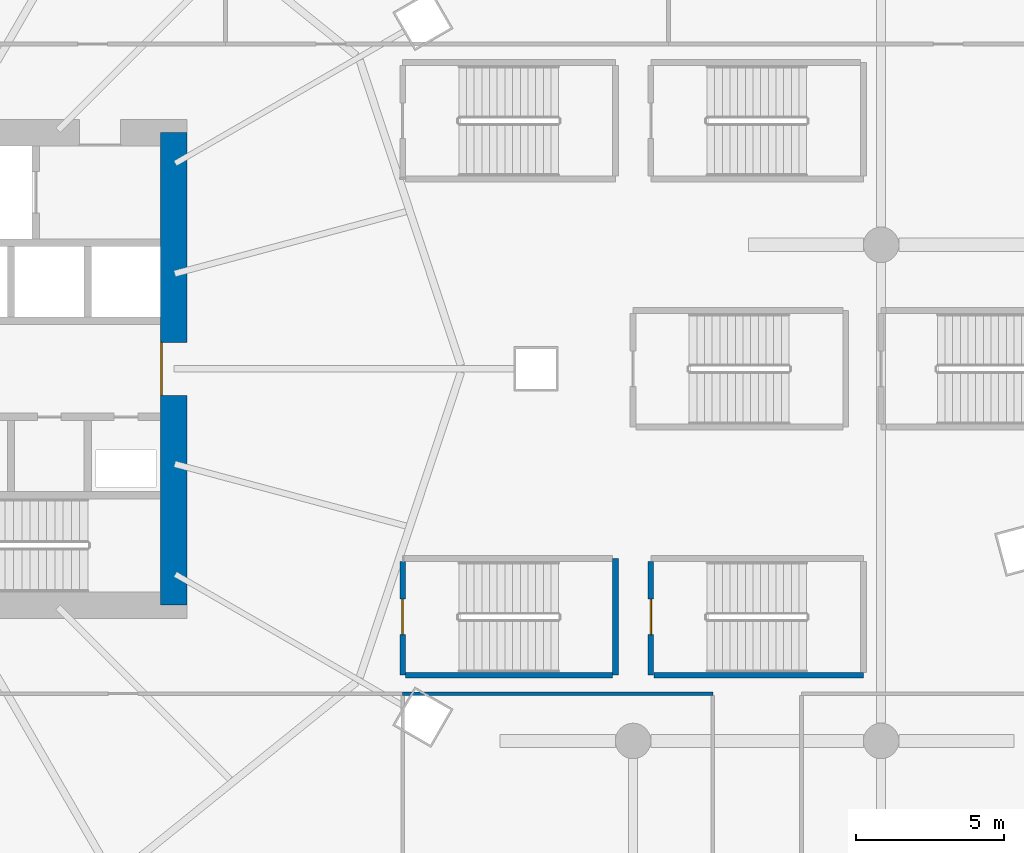
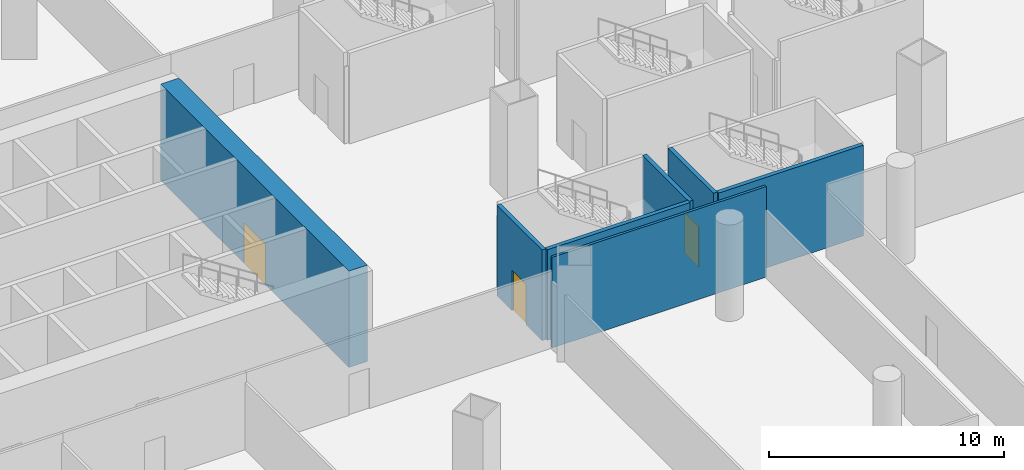
# One storey, part 35 of 51: 7 walls, 3 doors, 3 openings.
"""IFC4 building model written with IfcOpenShell, lengths in metres."""

import ifcopenshell
import ifcopenshell.guid

model = None  # the IFC model being written
_history = None  # IfcOwnerHistory: only IFC2X3 demands one
_inside = {}  # id of a spatial element -> (the spatial element, [elements in it])
_under = {}  # id of a project, library or spatial element -> (it, [spatial elements below it])
_declared = {}  # id of a project -> (the project, [libraries it declares])
_typed = {}  # id of a type object -> (the type object, [elements of that type])
_made_of = {}  # id of a material, layer set ... -> (it, [elements and type objects made of it])


def new_model(schema):
    """Start an empty IFC model of exactly this schema.

    Asked for "IFC4X3", IfcOpenShell would pick the latest addendum, in which some entities
    have other attributes; the version numbers below select the first issue.
    IFC2X3 requires an IfcOwnerHistory on every rooted entity: one is made here for all.
    """
    global model, _history
    if schema == "IFC4X3":
        model = ifcopenshell.file(schema_version=(4, 3, 0, 0))
    else:
        model = ifcopenshell.file(schema=schema)
    _inside.clear()
    _under.clear()
    _declared.clear()
    _typed.clear()
    _made_of.clear()
    _history = None
    if model.schema == "IFC2X3":
        org = make("IfcOrganization", Name="unknown")
        user = make(
            "IfcPersonAndOrganization",
            ThePerson=make("IfcPerson", FamilyName="unknown"),
            TheOrganization=org,
        )
        app = make(
            "IfcApplication",
            ApplicationDeveloper=org,
            Version="unknown",
            ApplicationFullName="unknown",
            ApplicationIdentifier="unknown",
        )
        _history = make(
            "IfcOwnerHistory",
            OwningUser=user,
            OwningApplication=app,
            ChangeAction="ADDED",
            CreationDate=0,
        )
    return model


def make(cls, **values):
    """One entity of the class cls with the attributes given. An attribute that is None is left unset."""
    return model.create_entity(
        cls, **{name: value for name, value in values.items() if value is not None}
    )


def rooted(cls, **values):
    """An entity with a GlobalId (a new one), such as an element, a storey or a relation."""
    return make(cls, GlobalId=ifcopenshell.guid.new(), OwnerHistory=_history, **values)


def si_unit(unit_type, name, prefix=None):
    """IfcSIUnit, for example si_unit("LENGTHUNIT", "METRE", prefix="MILLI")."""
    return make("IfcSIUnit", UnitType=unit_type, Prefix=prefix, Name=name)


def assignment(units):
    """IfcUnitAssignment: the units of a project."""
    return None if units is None else make("IfcUnitAssignment", Units=units)


def point(xyz):
    """IfcCartesianPoint."""
    return None if xyz is None else make("IfcCartesianPoint", Coordinates=xyz)


def direction(xyz):
    """IfcDirection."""
    return None if xyz is None else make("IfcDirection", DirectionRatios=xyz)


def frame(location, z_axis=None, x_axis=None):
    """IfcAxis2Placement3D, a coordinate frame: its origin and axes. An axis left out is left unset."""
    return make(
        "IfcAxis2Placement3D",
        Location=point(location),
        Axis=direction(z_axis),
        RefDirection=direction(x_axis),
    )


def frame_2d(location, x_axis=None):
    """IfcAxis2Placement2D, a coordinate frame in the plane: its origin and x axis."""
    return make(
        "IfcAxis2Placement2D", Location=point(location), RefDirection=direction(x_axis)
    )


def origin():
    """The frame at (0, 0, 0) with its axes left unset."""
    return frame((0.0, 0.0, 0.0))


def place(relative_to, where):
    """IfcLocalPlacement: puts the frame where relative to a parent placement (None: the world)."""
    return make(
        "IfcLocalPlacement", PlacementRelTo=relative_to, RelativePlacement=where
    )


def context(
    kind, dimensions, precision=None, world=None, true_north=None, identifier=None
):
    """IfcGeometricRepresentationContext, for example the 3D "Model" context."""
    return make(
        "IfcGeometricRepresentationContext",
        ContextIdentifier=identifier,
        ContextType=kind,
        CoordinateSpaceDimension=dimensions,
        Precision=precision,
        WorldCoordinateSystem=world,
        TrueNorth=true_north,
    )


def subcontext(parent, identifier, kind, view, scale=None):
    """IfcGeometricRepresentationSubContext, for example "Body" below "Model"."""
    return make(
        "IfcGeometricRepresentationSubContext",
        ContextIdentifier=identifier,
        ContextType=kind,
        ParentContext=parent,
        TargetScale=scale,
        TargetView=view,
    )


def project(units=None, contexts=None):
    """IfcProject with its units and contexts."""
    return rooted(
        "IfcProject",
        Name="project",
        RepresentationContexts=contexts,
        UnitsInContext=assignment(units),
    )


def spatial(cls, under=None, at=None, **own):
    """A site, building, storey or space (cls), placed at a placement, below another one or the project."""
    s = rooted(cls, ObjectPlacement=at, **own)
    if under is not None:
        _under.setdefault(under.id(), (under, []))[1].append(s)
    return s


def profile(cls, at=None, kind="AREA", **sizes):
    """A parametric profile (cls). Its sizes go by their IFC names, for example OverallWidth=200.0."""
    return make(cls, ProfileType=kind, Position=at, **sizes)


def rectangle(**sizes):
    """IfcRectangleProfileDef."""
    return profile("IfcRectangleProfileDef", **sizes)


def extrude(swept, where, along, depth):
    """IfcExtrudedAreaSolid: the profile swept, set in the frame where, extruded along a direction by depth."""
    return make(
        "IfcExtrudedAreaSolid",
        SweptArea=swept,
        Position=where,
        ExtrudedDirection=direction(along),
        Depth=depth,
    )


def shape(context_of_items, identifier, shape_type, items):
    """IfcShapeRepresentation: the items that make up one representation, for example the "Body"."""
    return make(
        "IfcShapeRepresentation",
        ContextOfItems=context_of_items,
        RepresentationIdentifier=identifier,
        RepresentationType=shape_type,
        Items=items,
    )


def material(Name=None, Category=None):
    """IfcMaterial."""
    return make("IfcMaterial", Name=Name, Category=Category)


def layer(
    of_material, thickness, ventilated=None, Name=None, Category=None, Priority=None
):
    """IfcMaterialLayer: one layer of a wall or slab, of a material (None: an air gap)."""
    return make(
        "IfcMaterialLayer",
        Material=of_material,
        LayerThickness=thickness,
        IsVentilated=ventilated,
        Name=Name,
        Category=Category,
        Priority=Priority,
    )


def layer_set(layers, Name=None):
    """IfcMaterialLayerSet."""
    return make("IfcMaterialLayerSet", MaterialLayers=layers, LayerSetName=Name)


def made_of(thing, what):
    """Note that an element or type object is made of a material, layer set ...; save() writes the relation."""
    if what is not None:
        _made_of.setdefault(what.id(), (what, []))[1].append(thing)
    return thing


def type_object(cls, material=None, **own):
    """A type object (cls), such as IfcWallType, which elements share."""
    return made_of(rooted(cls, **own), material)


def element(
    cls,
    number,
    at=None,
    inside=None,
    cuts=None,
    type_object=None,
    material=None,
    context=None,
    identifier="Body",
    shape_type=None,
    held_by="IfcProductDefinitionShape",
    body=None,
    shapes=None,
    **own,
):
    """One element of the class cls, such as IfcWall. Its Tag is "e" and its number.

    at: its placement. inside: the storey or other place that contains it. cuts: it is an
    opening in that element (IfcRelVoidsElement). A single representation is given by context,
    identifier, shape_type and body (its items); several are given by shapes. held_by: the class
    of the entity that holds the representations. save() writes the other relations.
    """
    e = rooted(cls, Tag="e%d" % number, ObjectPlacement=at, **own)
    if body is not None:
        shapes = [shape(context, identifier, shape_type, body)]
    if shapes is not None:
        e.Representation = make(held_by, Representations=shapes)
    if inside is not None:
        _inside.setdefault(inside.id(), (inside, []))[1].append(e)
    if cuts is not None:
        rooted(
            "IfcRelVoidsElement", RelatingBuildingElement=cuts, RelatedOpeningElement=e
        )
    if type_object is not None:
        _typed.setdefault(type_object.id(), (type_object, []))[1].append(e)
    return made_of(e, material)


def fill(opening, filler):
    """IfcRelFillsElement: the door or window that sits in an opening."""
    return rooted(
        "IfcRelFillsElement",
        RelatingOpeningElement=opening,
        RelatedBuildingElement=filler,
    )


def aggregate(whole, parts):
    """IfcRelAggregates: a whole, such as a stair, and the parts it consists of."""
    return rooted("IfcRelAggregates", RelatingObject=whole, RelatedObjects=parts)


def save(model, path):
    """Write the relations noted so far, then the file.

    IfcRelAggregates (storeys below a building ...), IfcRelContainedInSpatialStructure (elements
    in a storey), IfcRelDefinesByType, IfcRelAssociatesMaterial and IfcRelDeclares: one each for
    every whole, place, type object, material and project.
    """
    for whole, parts in _under.values():
        aggregate(whole, parts)
    for where, things in _inside.values():
        rooted(
            "IfcRelContainedInSpatialStructure",
            RelatedElements=things,
            RelatingStructure=where,
        )
    for kind, things in _typed.values():
        rooted("IfcRelDefinesByType", RelatedObjects=things, RelatingType=kind)
    for what, things in _made_of.values():
        rooted("IfcRelAssociatesMaterial", RelatedObjects=things, RelatingMaterial=what)
    for by, libraries in _declared.values():
        rooted("IfcRelDeclares", RelatingContext=by, RelatedDefinitions=libraries)
    model.write(path)


model = new_model("IFC4")

# Units and contexts
model_context = context("Model", 3, precision=1e-05, world=origin(), true_north=direction((0.0, 1.0)))
body_context = subcontext(model_context, "Body", "Model", "MODEL_VIEW")
ifc_project = project(units=[si_unit("LENGTHUNIT", "METRE"), si_unit("AREAUNIT", "SQUARE_METRE"), si_unit("VOLUMEUNIT", "CUBIC_METRE"), si_unit("PLANEANGLEUNIT", "RADIAN"), si_unit("MASSUNIT", "GRAM", prefix="KILO")], contexts=[model_context])

# Site, building, storey
site_placement = place(None, origin())
site = spatial("IfcSite", under=ifc_project, at=site_placement, CompositionType="ELEMENT")
building_placement = place(site_placement, origin())
building = spatial("IfcBuilding", under=site, at=building_placement, Name="Rimbun Link Towers", CompositionType="ELEMENT")
storey_placement = place(building_placement, frame((0.0, 0.0, 7.0)))
storey = spatial("IfcBuildingStorey", under=building, at=storey_placement, Name="L01", CompositionType="ELEMENT", Elevation=7.0)

# Wall, opening, door
ifc_material_1 = material(Name="Concrete C60/75", Category="concrete")
ifc_layer_1 = layer(ifc_material_1, 0.89990234375)
ifc_layer_set_1 = layer_set([ifc_layer_1], Name="Core shear wall 900")
wall_type_1 = type_object("IfcWallType", Name="Core shear wall 900", PredefinedType="SHEAR", material=ifc_layer_set_1)
wall_1_placement = place(storey_placement, frame((-19.75, -8.0, 0.0), z_axis=(0.0, 0.0, 1.0), x_axis=(0.0, 1.0, 0.0)))
wall_1 = element("IfcWall", 1, at=wall_1_placement, inside=storey, type_object=wall_type_1, Name="L01 T1 core wall E", PredefinedType="SHEAR", context=body_context, shape_type="SweptSolid", body=[
    extrude(rectangle(XDim=16.0, YDim=0.89990234375, at=frame_2d((8.0, 0.0))), origin(), (0.0, 0.0, 1.0), 5.0),
])
opening_1_placement = place(wall_1_placement, frame((7.10009765625, 0.0, 0.0)))
opening_1 = element("IfcOpeningElement", 2, at=opening_1_placement, cuts=wall_1, Name="Opening C1DCL01E", PredefinedType="OPENING", context=body_context, shape_type="SweptSolid", body=[
    extrude(rectangle(XDim=1.800048828125, YDim=2.10009765625, at=frame_2d((0.89990234375, 1.050048828125))), frame((0.0, 0.4599609375, 0.0), z_axis=(0.0, -1.0, 0.0), x_axis=(1.0, 0.0, 0.0)), (0.0, 0.0, 1.0), 0.919921875),
])
ifc_material_2 = material(Name="Steel fire door set", Category="steel")
door_type_1 = type_object("IfcDoorType", Name="Core lobby door double", OperationType="DOUBLE_DOOR_SINGLE_SWING", PredefinedType="DOOR", material=ifc_material_2)
door_1_placement = place(opening_1_placement, origin())
door_1 = element("IfcDoor", 3, at=door_1_placement, inside=storey, type_object=door_type_1, Name="L01 T1 lift lobby door", OperationType="DOUBLE_DOOR_SINGLE_SWING", OverallHeight=2.10009765625, OverallWidth=1.800048828125, PredefinedType="DOOR", context=body_context, shape_type="SweptSolid", body=[
    extrude(rectangle(XDim=1.800048828125, YDim=2.10009765625, at=frame_2d((0.89990234375, 1.050048828125))), frame((0.0, 0.4501953125, 0.0), z_axis=(0.0, -1.0, 0.0), x_axis=(1.0, 0.0, 0.0)), (0.0, 0.0, 1.0), 0.050048828125),
])
fill(opening_1, door_1)

# Walls
ifc_material_3 = material(Name="Gypsum board on steel studs", Category="steel")
ifc_layer_2 = layer(ifc_material_3, 0.125)
ifc_layer_set_2 = layer_set([ifc_layer_2], Name="Partition 125 board on studs")
wall_type_2 = type_object("IfcWallType", Name="Partition 125 board on studs", PredefinedType="PARTITIONING", material=ifc_layer_set_2)
wall_2_placement = place(storey_placement, frame((-12.0, -11.0, 0.0), z_axis=(0.0, 0.0, 1.0), x_axis=(1.0, 0.0, 0.0)))
element("IfcWall", 4, at=wall_2_placement, inside=storey, type_object=wall_type_2, Name="PD/PW/L01/029", PredefinedType="PARTITIONING", context=body_context, shape_type="SweptSolid", body=[
    extrude(rectangle(XDim=10.5, YDim=0.125, at=frame_2d((5.25, 0.0))), origin(), (0.0, 0.0, 1.0), 4.699951171875),
])
ifc_material_4 = material(Name="Concrete C40/50", Category="concrete")
ifc_layer_3 = layer(ifc_material_4, 0.199951171875)
ifc_layer_set_3 = layer_set([ifc_layer_3], Name="Stair shaft wall 200")
wall_type_3 = type_object("IfcWallType", Name="Stair shaft wall 200", PredefinedType="SOLIDWALL", material=ifc_layer_set_3)
wall_3_placement = place(storey_placement, frame((-4.800048828125, -10.375, 0.0), z_axis=(0.0, 0.0, 1.0), x_axis=(0.0, 1.0, 0.0)))
element("IfcWall", 5, at=wall_3_placement, inside=storey, type_object=wall_type_3, Name="PD/PW/L01/001", PredefinedType="SOLIDWALL", context=body_context, shape_type="SweptSolid", body=[
    extrude(rectangle(XDim=3.949951171875, YDim=0.199951171875, at=frame_2d((1.97509765625, 0.0))), origin(), (0.0, 0.0, 1.0), 4.699951171875),
])

# Wall, opening, door
wall_4_placement = place(storey_placement, frame((-12.0, -6.52490234375, 0.0), z_axis=(0.0, 0.0, 1.0), x_axis=(0.0, -1.0, 0.0)))
wall_4 = element("IfcWall", 6, at=wall_4_placement, inside=storey, type_object=wall_type_3, Name="PD/PW/L01/003", PredefinedType="SOLIDWALL", context=body_context, shape_type="SweptSolid", body=[
    extrude(rectangle(XDim=3.85009765625, YDim=0.199951171875, at=frame_2d((1.925048828125, 0.0))), origin(), (0.0, 0.0, 1.0), 4.699951171875),
])
opening_2_placement = place(wall_4_placement, frame((1.27490234375, 0.0, 0.0)))
opening_2 = element("IfcOpeningElement", 7, at=opening_2_placement, cuts=wall_4, Name="Opening PD DS1", PredefinedType="OPENING", context=body_context, shape_type="SweptSolid", body=[
    extrude(rectangle(XDim=1.199951171875, YDim=2.10009765625, at=frame_2d((0.60009765625, 1.050048828125))), frame((0.0, 0.10986328125, 0.0), z_axis=(0.0, -1.0, 0.0), x_axis=(1.0, 0.0, 0.0)), (0.0, 0.0, 1.0), 0.219970703125),
])
ifc_material_5 = material(Name="Steel fire door set", Category="steel")
door_type_2 = type_object("IfcDoorType", Name="Stair door", OperationType="SINGLE_SWING_LEFT", PredefinedType="DOOR", material=ifc_material_5)
door_2_placement = place(opening_2_placement, frame((1.199951171875, 0.0, 0.0), z_axis=(0.0, 0.0, 1.0), x_axis=(-1.0, 0.0, 0.0)))
door_2 = element("IfcDoor", 8, at=door_2_placement, inside=storey, type_object=door_type_2, Name="PD/DR/L01/S1", OperationType="SINGLE_SWING_LEFT", OverallHeight=2.10009765625, OverallWidth=1.199951171875, PredefinedType="DOOR", context=body_context, shape_type="SweptSolid", body=[
    extrude(rectangle(XDim=1.199951171875, YDim=2.10009765625, at=frame_2d((0.60009765625, 1.050048828125))), frame((0.0, 0.02490234375, 0.0), z_axis=(0.0, -1.0, 0.0), x_axis=(1.0, 0.0, 0.0)), (0.0, 0.0, 1.0), 0.050048828125),
])
fill(opening_2, door_2)

# Wall
wall_5_placement = place(storey_placement, frame((-11.89990234375, -10.375, 0.0), z_axis=(0.0, 0.0, 1.0), x_axis=(1.0, 0.0, 0.0)))
element("IfcWall", 9, at=wall_5_placement, inside=storey, type_object=wall_type_3, Name="PD/PW/L01/004", PredefinedType="SOLIDWALL", context=body_context, shape_type="SweptSolid", body=[
    extrude(rectangle(XDim=7.0, YDim=0.199951171875, at=frame_2d((3.5, 0.0))), origin(), (0.0, 0.0, 1.0), 4.699951171875),
])

# Wall, opening, door
wall_6_placement = place(storey_placement, frame((-3.60009765625, -6.52490234375, 0.0), z_axis=(0.0, 0.0, 1.0), x_axis=(0.0, -1.0, 0.0)))
wall_6 = element("IfcWall", 10, at=wall_6_placement, inside=storey, type_object=wall_type_3, Name="PD/PW/L01/006", PredefinedType="SOLIDWALL", context=body_context, shape_type="SweptSolid", body=[
    extrude(rectangle(XDim=3.85009765625, YDim=0.199951171875, at=frame_2d((1.925048828125, 0.0))), origin(), (0.0, 0.0, 1.0), 4.699951171875),
])
opening_3_placement = place(wall_6_placement, frame((1.27490234375, 0.0, 0.0)))
opening_3 = element("IfcOpeningElement", 11, at=opening_3_placement, cuts=wall_6, Name="Opening PD DS2", PredefinedType="OPENING", context=body_context, shape_type="SweptSolid", body=[
    extrude(rectangle(XDim=1.199951171875, YDim=2.10009765625, at=frame_2d((0.60009765625, 1.050048828125))), frame((0.0, 0.10986328125, 0.0), z_axis=(0.0, -1.0, 0.0), x_axis=(1.0, 0.0, 0.0)), (0.0, 0.0, 1.0), 0.219970703125),
])
door_3_placement = place(opening_3_placement, frame((1.199951171875, 0.0, 0.0), z_axis=(0.0, 0.0, 1.0), x_axis=(-1.0, 0.0, 0.0)))
door_3 = element("IfcDoor", 12, at=door_3_placement, inside=storey, type_object=door_type_2, Name="PD/DR/L01/S2", OperationType="SINGLE_SWING_LEFT", OverallHeight=2.10009765625, OverallWidth=1.199951171875, PredefinedType="DOOR", context=body_context, shape_type="SweptSolid", body=[
    extrude(rectangle(XDim=1.199951171875, YDim=2.10009765625, at=frame_2d((0.60009765625, 1.050048828125))), frame((0.0, 0.02490234375, 0.0), z_axis=(0.0, -1.0, 0.0), x_axis=(1.0, 0.0, 0.0)), (0.0, 0.0, 1.0), 0.050048828125),
])
fill(opening_3, door_3)

# Wall
wall_7_placement = place(storey_placement, frame((-3.5, -10.375, 0.0), z_axis=(0.0, 0.0, 1.0), x_axis=(1.0, 0.0, 0.0)))
element("IfcWall", 13, at=wall_7_placement, inside=storey, type_object=wall_type_3, Name="PD/PW/L01/007", PredefinedType="SOLIDWALL", context=body_context, shape_type="SweptSolid", body=[
    extrude(rectangle(XDim=7.10009765625, YDim=0.199951171875, at=frame_2d((3.550048828125, 0.0))), origin(), (0.0, 0.0, 1.0), 4.699951171875),
])

save(model, "model.ifc")
